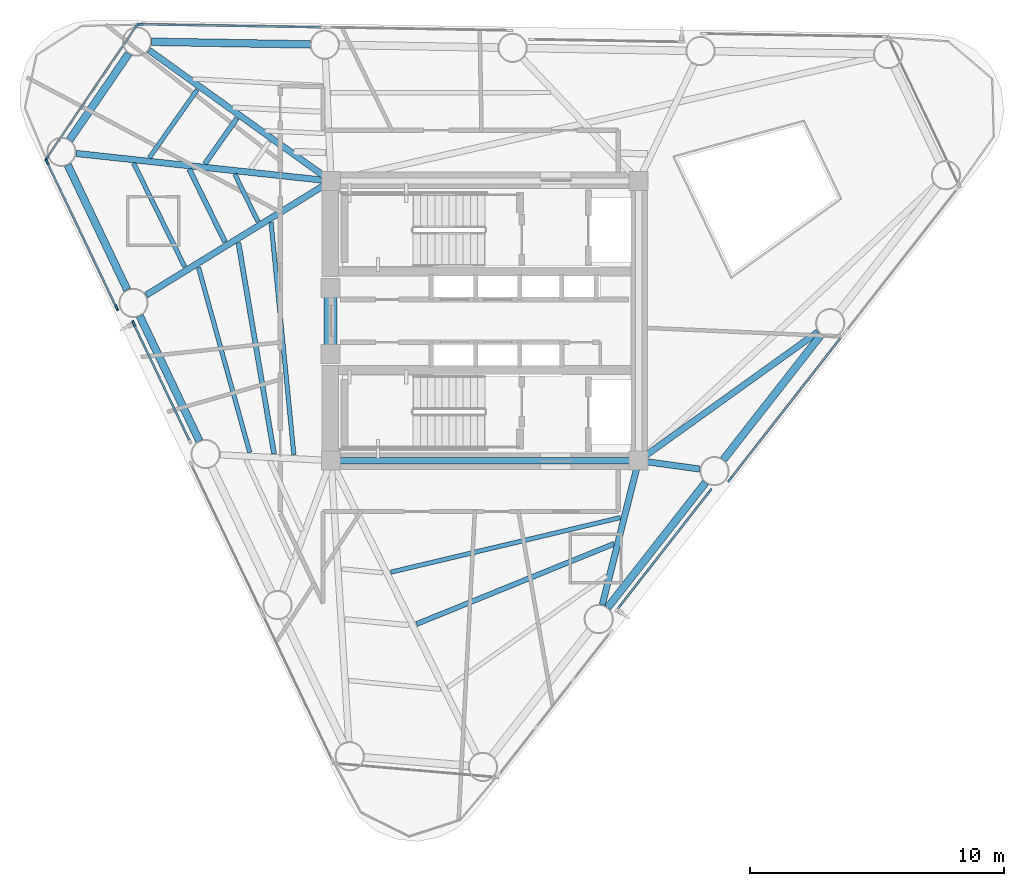
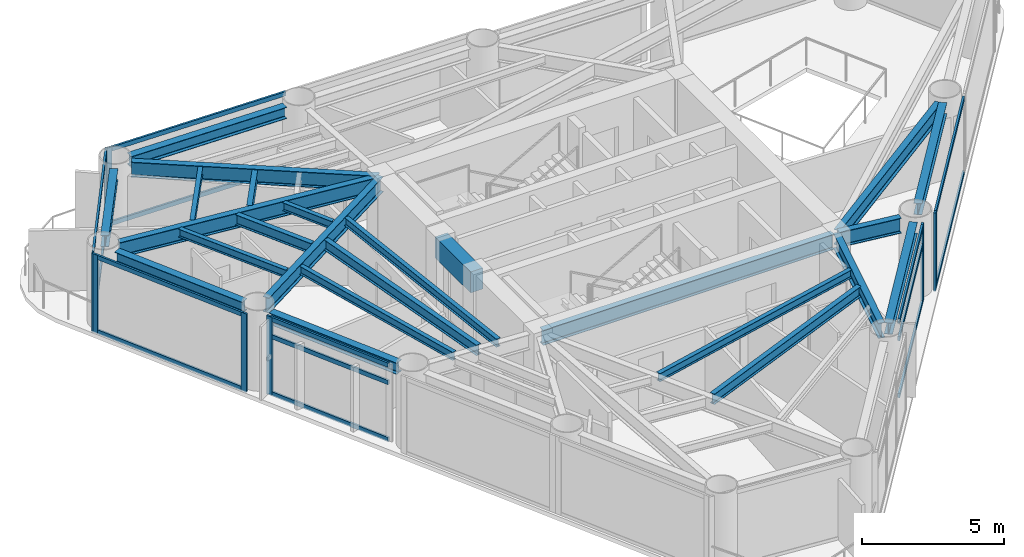
# One storey, part 2 of 9: 24 beams, 22 members, 6 elements without a shape of their own.
"""IFC4 building model written with IfcOpenShell, lengths in metres."""

from ifc_helpers import new_model, si_unit, direction, frame, origin, origin_2d, place, context, subcontext, project, spatial, rectangle, i_section, extrude, source, transform, mapped, material, layer, layer_set, material_profile, profile_set, type_object, element, aggregate, save


model = new_model("IFC4")

# Units and contexts
model_context = context("Model", 3, precision=1e-05, world=origin(), true_north=direction((0.0, 1.0)))
body_context = subcontext(model_context, "Body", "Model", "MODEL_VIEW")
ifc_project = project(units=[si_unit("LENGTHUNIT", "METRE"), si_unit("AREAUNIT", "SQUARE_METRE"), si_unit("VOLUMEUNIT", "CUBIC_METRE"), si_unit("PLANEANGLEUNIT", "RADIAN"), si_unit("MASSUNIT", "GRAM", prefix="KILO")], contexts=[model_context])

# Site, building, storey
site_placement = place(None, origin())
site = spatial("IfcSite", under=ifc_project, at=site_placement, CompositionType="ELEMENT")
building_placement = place(site_placement, origin())
building = spatial("IfcBuilding", under=site, at=building_placement, Name="Yunling Apex Tower", CompositionType="ELEMENT")
storey_placement = place(building_placement, frame((0.0, 0.0, 198.35009765625)))
storey = spatial("IfcBuildingStorey", under=building, at=storey_placement, Name="L48", CompositionType="ELEMENT", Elevation=198.35009765625)

# Beams
ifc_material_1 = material(Name="Concrete C50", Category="concrete")
ifc_material_profile_1 = material_profile(ifc_material_1, rectangle(XDim=0.5, YDim=0.89990234375, at=origin_2d()))
ifc_profile_set_1 = profile_set([ifc_material_profile_1], Name="Concrete C50")
beam_type_1 = type_object("IfcBeamType", Name="BC-CPL-2", PredefinedType="BEAM", material=ifc_profile_set_1)
shared_shape_1 = source(origin(), body_context, "Body", "SweptSolid", [
    extrude(rectangle(XDim=0.5, YDim=0.89990234375, at=origin_2d()), origin(), (0.0, 0.0, 1.0), 2.5),
])
beam_1_placement = place(storey_placement, frame((-6.074951171875, -1.25, 2.81982421875), z_axis=(0.0, 1.0, 0.0), x_axis=(-1.0, 0.0, 0.0)))
element("IfcBeam", 1, at=beam_1_placement, inside=storey, type_object=beam_type_1, Name="L48 Core West Portal Coupling Beam", PredefinedType="BEAM", context=body_context, shape_type="MappedRepresentation", body=[
    mapped(shared_shape_1, transform((0.0, 0.0, 0.0), scale=1.0)),
])
ifc_material_2 = material(Name="Steel Q355B", Category="steel")
ifc_material_profile_2 = material_profile(ifc_material_2, i_section(OverallWidth=0.25, OverallDepth=0.64990234375, WebThickness=0.011962890625, FlangeThickness=0.02001953125, FilletRadius=0.02392578125, at=origin_2d()))
ifc_profile_set_2 = profile_set([ifc_material_profile_2], Name="Steel Q355B")
beam_type_2 = type_object("IfcBeamType", Name="BG-PRI-4", PredefinedType="USERDEFINED", material=ifc_profile_set_2)
shared_shape_2 = source(origin(), body_context, "Body", "SweptSolid", [
    extrude(i_section(OverallWidth=0.25, OverallDepth=0.64990234375, WebThickness=0.011962890625, FlangeThickness=0.02001953125, FilletRadius=0.02392578125, at=origin_2d()), origin(), (0.0, 0.0, 1.0), 11.7998046875),
])
beam_2_placement = place(storey_placement, frame((-5.89990234375, -5.5, 2.94482421875), z_axis=(1.0, 0.0, 0.0), x_axis=(0.0, 1.0, 0.0)))
element("IfcBeam", 2, at=beam_2_placement, inside=storey, type_object=beam_type_2, Name="L48 Core Ring Tie Beam 1", ObjectType="GIRDER", PredefinedType="USERDEFINED", context=body_context, shape_type="MappedRepresentation", body=[
    mapped(shared_shape_2, transform((0.0, 0.0, 0.0), scale=1.0)),
])
ifc_material_profile_3 = material_profile(ifc_material_2, i_section(OverallWidth=0.300048828125, OverallDepth=0.489990234375, WebThickness=0.010986328125, FlangeThickness=0.01806640625, FilletRadius=0.02197265625, at=origin_2d()))
ifc_profile_set_3 = profile_set([ifc_material_profile_3], Name="Steel Q355B")
beam_type_3 = type_object("IfcBeamType", Name="BP-SPN-2", PredefinedType="SPANDREL", material=ifc_profile_set_3)
shared_shape_3 = source(origin(), body_context, "Body", "SweptSolid", [
    extrude(i_section(OverallWidth=0.300048828125, OverallDepth=0.489990234375, WebThickness=0.010986328125, FlangeThickness=0.01806640625, FilletRadius=0.02197265625, at=origin_2d()), origin(), (0.0, 0.0, 1.0), 6.253173828125),
])
for number, where, z_axis, x_axis, name in (
    (3, (4.831298828125, -11.2841796875, 3.02490234375), (0.61621666878, 0.787576673803, 0.0), (-0.787576673803, 0.61621666878, 0.0), "L48 Perimeter Spandrel Beam 2"),
    (4, (9.3857421875, -5.463134765625, 3.02490234375), (0.61621666878, 0.787576673803, 0.0), (-0.787576673803, 0.61621666878, 0.0), "L48 Perimeter Spandrel Beam 3"),
    (5, (-6.86669921875, 10.875, 3.02490234375), (-0.999859061432, 0.016788605428, 0.0), (-0.016788605428, -0.999859061432, 0.0), "L48 Perimeter Spandrel Beam 9"),
):
    element("IfcBeam", number, at=place(storey_placement, frame(where, z_axis=z_axis, x_axis=x_axis)), inside=storey, type_object=beam_type_3, Name=name, PredefinedType="SPANDREL", context=body_context, shape_type="MappedRepresentation", body=[
        mapped(shared_shape_3, transform((0.0, 0.0, 0.0), scale=1.0)),
    ])
shared_shape_4 = source(origin(), body_context, "Body", "SweptSolid", [
    extrude(i_section(OverallWidth=0.300048828125, OverallDepth=0.489990234375, WebThickness=0.010986328125, FlangeThickness=0.01806640625, FilletRadius=0.02197265625, at=origin_2d()), origin(), (0.0, 0.0, 1.0), 4.121337890625),
])
beam_3_placement = place(storey_placement, frame((-14.009033203125, 10.519775390625, 3.02490234375), z_axis=(-0.564775228093, -0.825244776858, 0.0), x_axis=(0.825244776858, -0.564775228093, 0.0)))
element("IfcBeam", 6, at=beam_3_placement, inside=storey, type_object=beam_type_3, Name="L48 Perimeter Spandrel Beam 10", PredefinedType="SPANDREL", context=body_context, shape_type="MappedRepresentation", body=[
    mapped(shared_shape_4, transform((0.0, 0.0, 0.0), scale=1.0)),
])
shared_shape_5 = source(origin(), body_context, "Body", "SweptSolid", [
    extrude(i_section(OverallWidth=0.300048828125, OverallDepth=0.489990234375, WebThickness=0.010986328125, FlangeThickness=0.01806640625, FilletRadius=0.02197265625, at=origin_2d()), origin(), (0.0, 0.0, 1.0), 5.4482421875),
])
for number, where, z_axis, x_axis, name in (
    (7, (-16.4130859375, 6.135498046875, 3.02490234375), (0.430538797564, -0.902572071246, 0.0), (0.902572071246, 0.430538797564, 0.0), "L48 Perimeter Spandrel Beam 11"),
    (8, (-13.577392578125, 0.190673828125, 3.02490234375), (0.430502292287, -0.902589483839, 0.0), (0.902589483839, 0.430502292287, 0.0), "L48 Perimeter Spandrel Beam 12"),
):
    element("IfcBeam", number, at=place(storey_placement, frame(where, z_axis=z_axis, x_axis=x_axis)), inside=storey, type_object=beam_type_3, Name=name, PredefinedType="SPANDREL", context=body_context, shape_type="MappedRepresentation", body=[
        mapped(shared_shape_5, transform((0.0, 0.0, 0.0), scale=1.0)),
    ])
shared_shape_6 = source(origin(), body_context, "Body", "SweptSolid", [
    extrude(i_section(OverallWidth=0.25, OverallDepth=0.64990234375, WebThickness=0.011962890625, FlangeThickness=0.02001953125, FilletRadius=0.02392578125, at=origin_2d()), origin(), (0.0, 0.0, 1.0), 5.763427734375),
])
beam_4_placement = place(storey_placement, frame((4.623291015625, -11.166748046875, 2.94482421875), z_axis=(0.244159894622, 0.969734987436, 0.0), x_axis=(-0.969734987436, 0.244159894622, 0.0)))
element("IfcBeam", 9, at=beam_4_placement, inside=storey, type_object=beam_type_2, Name="L48 Radial Primary Girder R02", ObjectType="GIRDER", PredefinedType="USERDEFINED", context=body_context, shape_type="MappedRepresentation", body=[
    mapped(shared_shape_6, transform((0.0, 0.0, 0.0), scale=1.0)),
])
shared_shape_7 = source(origin(), body_context, "Body", "SweptSolid", [
    extrude(i_section(OverallWidth=0.25, OverallDepth=0.64990234375, WebThickness=0.011962890625, FlangeThickness=0.02001953125, FilletRadius=0.02392578125, at=origin_2d()), origin(), (0.0, 0.0, 1.0), 2.35009765625),
])
beam_5_placement = place(storey_placement, frame((8.45751953125, -5.831787109375, 2.94482421875), z_axis=(-0.990639545436, 0.136503813203, 0.0), x_axis=(-0.136503813203, -0.990639545436, 0.0)))
element("IfcBeam", 10, at=beam_5_placement, inside=storey, type_object=beam_type_2, Name="L48 Radial Primary Girder R03", ObjectType="GIRDER", PredefinedType="USERDEFINED", context=body_context, shape_type="MappedRepresentation", body=[
    mapped(shared_shape_7, transform((0.0, 0.0, 0.0), scale=1.0)),
])
shared_shape_8 = source(origin(), body_context, "Body", "SweptSolid", [
    extrude(i_section(OverallWidth=0.25, OverallDepth=0.64990234375, WebThickness=0.011962890625, FlangeThickness=0.02001953125, FilletRadius=0.02392578125, at=origin_2d()), origin(), (0.0, 0.0, 1.0), 8.616455078125),
])
beam_6_placement = place(storey_placement, frame((13.11572265625, -0.43017578125, 2.94482421875), z_axis=(-0.812487192657, -0.58297904059, 0.0), x_axis=(0.58297904059, -0.812487192657, 0.0)))
element("IfcBeam", 11, at=beam_6_placement, inside=storey, type_object=beam_type_2, Name="L48 Radial Primary Girder R04", ObjectType="GIRDER", PredefinedType="USERDEFINED", context=body_context, shape_type="MappedRepresentation", body=[
    mapped(shared_shape_8, transform((0.0, 0.0, 0.0), scale=1.0)),
])
shared_shape_9 = source(origin(), body_context, "Body", "SweptSolid", [
    extrude(i_section(OverallWidth=0.25, OverallDepth=0.64990234375, WebThickness=0.011962890625, FlangeThickness=0.02001953125, FilletRadius=0.02392578125, at=origin_2d()), origin(), (0.0, 0.0, 1.0), 8.742919921875),
])
beam_7_placement = place(storey_placement, frame((-13.21435546875, 10.649169921875, 2.94482421875), z_axis=(0.812022401907, -0.583626266373, 0.0), x_axis=(0.583626266373, 0.812022401907, 0.0)))
element("IfcBeam", 12, at=beam_7_placement, inside=storey, type_object=beam_type_2, Name="L48 Radial Primary Girder R10", ObjectType="GIRDER", PredefinedType="USERDEFINED", context=body_context, shape_type="MappedRepresentation", body=[
    mapped(shared_shape_9, transform((0.0, 0.0, 0.0), scale=1.0)),
])
shared_shape_10 = source(origin(), body_context, "Body", "SweptSolid", [
    extrude(i_section(OverallWidth=0.25, OverallDepth=0.64990234375, WebThickness=0.011962890625, FlangeThickness=0.02001953125, FilletRadius=0.02392578125, at=origin_2d()), origin(), (0.0, 0.0, 1.0), 10.007080078125),
])
beam_8_placement = place(storey_placement, frame((-16.078369140625, 6.586181640625, 2.94482421875), z_axis=(0.994184902243, -0.107686490111, 0.0), x_axis=(0.107686490111, 0.994184902243, 0.0)))
element("IfcBeam", 13, at=beam_8_placement, inside=storey, type_object=beam_type_2, Name="L48 Radial Primary Girder R11", ObjectType="GIRDER", PredefinedType="USERDEFINED", context=body_context, shape_type="MappedRepresentation", body=[
    mapped(shared_shape_10, transform((0.0, 0.0, 0.0), scale=1.0)),
])
shared_shape_11 = source(origin(), body_context, "Body", "SweptSolid", [
    extrude(i_section(OverallWidth=0.25, OverallDepth=0.64990234375, WebThickness=0.011962890625, FlangeThickness=0.02001953125, FilletRadius=0.02392578125, at=origin_2d()), origin(), (0.0, 0.0, 1.0), 8.4697265625),
])
beam_9_placement = place(storey_placement, frame((-13.326171875, 1.010498046875, 2.94482421875), z_axis=(0.851035190572, 0.525108659621, 0.0), x_axis=(-0.525108659621, 0.851035190572, 0.0)))
element("IfcBeam", 14, at=beam_9_placement, inside=storey, type_object=beam_type_2, Name="L48 Radial Primary Girder R12", ObjectType="GIRDER", PredefinedType="USERDEFINED", context=body_context, shape_type="MappedRepresentation", body=[
    mapped(shared_shape_11, transform((0.0, 0.0, 0.0), scale=1.0)),
])
ifc_material_profile_4 = material_profile(ifc_material_2, i_section(OverallWidth=0.199951171875, OverallDepth=0.449951171875, WebThickness=0.009033203125, FlangeThickness=0.013916015625, FilletRadius=0.01806640625, at=origin_2d()))
ifc_profile_set_4 = profile_set([ifc_material_profile_4], Name="Steel Q355B")
beam_type_4 = type_object("IfcBeamType", Name="BS-SEC-3", PredefinedType="BEAM", material=ifc_profile_set_4)
shared_shape_12 = source(origin(), body_context, "Body", "SweptSolid", [
    extrude(i_section(OverallWidth=0.199951171875, OverallDepth=0.449951171875, WebThickness=0.009033203125, FlangeThickness=0.013916015625, FilletRadius=0.01806640625, at=origin_2d()), origin(), (0.0, 0.0, 1.0), 8.396240234375),
])
beam_10_placement = place(storey_placement, frame((-2.684326171875, -11.9287109375, 3.044921875), z_axis=(0.926431402479, 0.376463619092, 0.0), x_axis=(-0.376463619092, 0.926431402479, 0.0)))
element("IfcBeam", 15, at=beam_10_placement, inside=storey, type_object=beam_type_4, Name="L48 Composite Floor Beam BS-1", PredefinedType="BEAM", context=body_context, shape_type="MappedRepresentation", body=[
    mapped(shared_shape_12, transform((0.0, 0.0, 0.0), scale=1.0)),
])
ifc_material_profile_5 = material_profile(ifc_material_2, i_section(OverallWidth=0.175048828125, OverallDepth=0.35009765625, WebThickness=0.007080078125, FlangeThickness=0.010986328125, FilletRadius=0.013916015625, at=origin_2d()))
ifc_profile_set_5 = profile_set([ifc_material_profile_5], Name="Steel Q355B")
beam_type_5 = type_object("IfcBeamType", Name="BJ-JST-1", PredefinedType="JOIST", material=ifc_profile_set_5)
shared_shape_13 = source(origin(), body_context, "Body", "SweptSolid", [
    extrude(i_section(OverallWidth=0.175048828125, OverallDepth=0.35009765625, WebThickness=0.007080078125, FlangeThickness=0.010986328125, FilletRadius=0.013916015625, at=origin_2d()), origin(), (0.0, 0.0, 1.0), 9.2919921875),
])
beam_11_placement = place(storey_placement, frame((-3.69970703125, -9.88916015625, 3.094970703125), z_axis=(0.972847358166, 0.231447656523, 0.0), x_axis=(-0.231447656523, 0.972847358166, 0.0)))
element("IfcBeam", 16, at=beam_11_placement, inside=storey, type_object=beam_type_5, Name="L48 Composite Floor Joist BJ3-1", PredefinedType="JOIST", context=body_context, shape_type="MappedRepresentation", body=[
    mapped(shared_shape_13, transform((0.0, 0.0, 0.0), scale=1.0)),
])
shared_shape_14 = source(origin(), body_context, "Body", "SweptSolid", [
    extrude(i_section(OverallWidth=0.199951171875, OverallDepth=0.449951171875, WebThickness=0.009033203125, FlangeThickness=0.013916015625, FilletRadius=0.01806640625, at=origin_2d()), origin(), (0.0, 0.0, 1.0), 2.18505859375),
])
beam_12_placement = place(storey_placement, frame((-9.756591796875, 7.966796875, 3.044921875), z_axis=(-0.57454920808, -0.818470040682, 0.0), x_axis=(0.818470040682, -0.57454920808, 0.0)))
element("IfcBeam", 17, at=beam_12_placement, inside=storey, type_object=beam_type_4, Name="L48 Composite Floor Beam BS-10", PredefinedType="BEAM", context=body_context, shape_type="MappedRepresentation", body=[
    mapped(shared_shape_14, transform((0.0, 0.0, 0.0), scale=1.0)),
])
shared_shape_15 = source(origin(), body_context, "Body", "SweptSolid", [
    extrude(i_section(OverallWidth=0.175048828125, OverallDepth=0.35009765625, WebThickness=0.007080078125, FlangeThickness=0.010986328125, FilletRadius=0.013916015625, at=origin_2d()), origin(), (0.0, 0.0, 1.0), 3.270263671875),
])
beam_13_placement = place(storey_placement, frame((-11.318603515625, 9.089599609375, 3.094970703125), z_axis=(-0.575524843555, -0.817784295797, 0.0), x_axis=(0.817784295797, -0.575524843555, 0.0)))
element("IfcBeam", 18, at=beam_13_placement, inside=storey, type_object=beam_type_5, Name="L48 Composite Floor Joist BJ1-10", PredefinedType="JOIST", context=body_context, shape_type="MappedRepresentation", body=[
    mapped(shared_shape_15, transform((0.0, 0.0, 0.0), scale=1.0)),
])
shared_shape_16 = source(origin(), body_context, "Body", "SweptSolid", [
    extrude(i_section(OverallWidth=0.199951171875, OverallDepth=0.449951171875, WebThickness=0.009033203125, FlangeThickness=0.013916015625, FilletRadius=0.01806640625, at=origin_2d()), origin(), (0.0, 0.0, 1.0), 3.1845703125),
])
beam_14_placement = place(storey_placement, frame((-11.63037109375, 5.968505859375, 3.044921875), z_axis=(0.441285246196, -0.897366887895, 0.0), x_axis=(0.897366887895, 0.441285246196, 0.0)))
element("IfcBeam", 19, at=beam_14_placement, inside=storey, type_object=beam_type_4, Name="L48 Composite Floor Beam BS-11", PredefinedType="BEAM", context=body_context, shape_type="MappedRepresentation", body=[
    mapped(shared_shape_16, transform((0.0, 0.0, 0.0), scale=1.0)),
])
shared_shape_17 = source(origin(), body_context, "Body", "SweptSolid", [
    extrude(i_section(OverallWidth=0.175048828125, OverallDepth=0.35009765625, WebThickness=0.007080078125, FlangeThickness=0.010986328125, FilletRadius=0.013916015625, at=origin_2d()), origin(), (0.0, 0.0, 1.0), 4.541259765625),
])
beam_15_placement = place(storey_placement, frame((-13.81884765625, 6.205810546875, 3.094970703125), z_axis=(0.442066776363, -0.896982143209, 0.0), x_axis=(0.896982143209, 0.442066776363, 0.0)))
element("IfcBeam", 20, at=beam_15_placement, inside=storey, type_object=beam_type_5, Name="L48 Composite Floor Joist BJ1-11", PredefinedType="JOIST", context=body_context, shape_type="MappedRepresentation", body=[
    mapped(shared_shape_17, transform((0.0, 0.0, 0.0), scale=1.0)),
])
shared_shape_18 = source(origin(), body_context, "Body", "SweptSolid", [
    extrude(i_section(OverallWidth=0.175048828125, OverallDepth=0.35009765625, WebThickness=0.007080078125, FlangeThickness=0.010986328125, FilletRadius=0.013916015625, at=origin_2d()), origin(), (0.0, 0.0, 1.0), 2.07421875),
])
beam_16_placement = place(storey_placement, frame((-9.839599609375, 5.7744140625, 3.094970703125), z_axis=(0.439758949759, -0.898115842254, 0.0), x_axis=(0.898115842254, 0.439758949759, 0.0)))
element("IfcBeam", 21, at=beam_16_placement, inside=storey, type_object=beam_type_5, Name="L48 Composite Floor Joist BJ3-11", PredefinedType="JOIST", context=body_context, shape_type="MappedRepresentation", body=[
    mapped(shared_shape_18, transform((0.0, 0.0, 0.0), scale=1.0)),
])
shared_shape_19 = source(origin(), body_context, "Body", "SweptSolid", [
    extrude(i_section(OverallWidth=0.199951171875, OverallDepth=0.449951171875, WebThickness=0.009033203125, FlangeThickness=0.013916015625, FilletRadius=0.01806640625, at=origin_2d()), origin(), (0.0, 0.0, 1.0), 8.41943359375),
])
beam_17_placement = place(storey_placement, frame((-9.695556640625, 3.076416015625, 3.044921875), z_axis=(0.16647230798, -0.986046130095, 0.0), x_axis=(0.986046130095, 0.16647230798, 0.0)))
element("IfcBeam", 22, at=beam_17_placement, inside=storey, type_object=beam_type_4, Name="L48 Composite Floor Beam BS-12", PredefinedType="BEAM", context=body_context, shape_type="MappedRepresentation", body=[
    mapped(shared_shape_19, transform((0.0, 0.0, 0.0), scale=1.0)),
])
shared_shape_20 = source(origin(), body_context, "Body", "SweptSolid", [
    extrude(i_section(OverallWidth=0.175048828125, OverallDepth=0.35009765625, WebThickness=0.007080078125, FlangeThickness=0.010986328125, FilletRadius=0.013916015625, at=origin_2d()), origin(), (0.0, 0.0, 1.0), 7.554931640625),
])
beam_18_placement = place(storey_placement, frame((-11.265380859375, 2.1015625, 3.094970703125), z_axis=(0.266700380195, -0.963779490965, 0.0), x_axis=(0.963779490965, 0.266700380195, 0.0)))
element("IfcBeam", 23, at=beam_18_placement, inside=storey, type_object=beam_type_5, Name="L48 Composite Floor Joist BJ1-12", PredefinedType="JOIST", context=body_context, shape_type="MappedRepresentation", body=[
    mapped(shared_shape_20, transform((0.0, 0.0, 0.0), scale=1.0)),
])
shared_shape_21 = source(origin(), body_context, "Body", "SweptSolid", [
    extrude(i_section(OverallWidth=0.175048828125, OverallDepth=0.35009765625, WebThickness=0.007080078125, FlangeThickness=0.010986328125, FilletRadius=0.013916015625, at=origin_2d()), origin(), (0.0, 0.0, 1.0), 9.183837890625),
])
beam_19_placement = place(storey_placement, frame((-8.4091796875, 3.87548828125, 3.094970703125), z_axis=(0.097534767925, -0.995232118174, 0.0), x_axis=(0.995232118174, 0.097534767925, 0.0)))
element("IfcBeam", 24, at=beam_19_placement, inside=storey, type_object=beam_type_5, Name="L48 Composite Floor Joist BJ3-12", PredefinedType="JOIST", context=body_context, shape_type="MappedRepresentation", body=[
    mapped(shared_shape_21, transform((0.0, 0.0, 0.0), scale=1.0)),
])

# Curtain wall, member
ifc_material_3 = material(Name="Bronze anodised aluminium", Category="aluminium")
ifc_layer = layer(ifc_material_3, 0.239990234375)
ifc_layer_set = layer_set([ifc_layer], Name="Bronze anodised aluminium")
curtain_wall_type = type_object("IfcCurtainWallType", Name="CW-SYS-3", PredefinedType="NOTDEFINED", material=ifc_layer_set)
curtain_wall_1_placement = place(storey_placement, origin())
curtain_wall_1 = element("IfcCurtainWall", 25, at=curtain_wall_1_placement, inside=storey, type_object=curtain_wall_type, Name="CW-L48-F1-B2", PredefinedType="NOTDEFINED")
ifc_material_profile_6 = material_profile(ifc_material_3, rectangle(XDim=0.080078125, YDim=0.239990234375, at=origin_2d()))
ifc_profile_set_6 = profile_set([ifc_material_profile_6], Name="Bronze anodised aluminium")
member_type_1 = type_object("IfcMemberType", Name="CW-MUL-3", PredefinedType="MULLION", material=ifc_profile_set_6)
shared_shape_22 = source(origin(), body_context, "Body", "SweptSolid", [
    extrude(rectangle(XDim=0.080078125, YDim=0.239990234375, at=origin_2d()), origin(), (0.0, 0.0, 1.0), 3.369873046875),
])
member_1_placement = place(storey_placement, frame((8.846923828125, -6.70361328125, -0.050048828125), z_axis=(0.0, 0.0, 1.0), x_axis=(-0.787576499109, 0.616216892053, 0.0)))
member_1 = element("IfcMember", 26, at=member_1_placement, type_object=member_type_1, Name="CW-SYS-3 mullion 2", PredefinedType="MULLION", context=body_context, shape_type="MappedRepresentation", body=[
    mapped(shared_shape_22, transform((0.0, 0.0, 0.0), scale=1.0)),
])

curtain_wall_2_placement = place(storey_placement, origin())
curtain_wall_2 = element("IfcCurtainWall", 27, at=curtain_wall_2_placement, inside=storey, type_object=curtain_wall_type, Name="CW-L48-F1-B3", PredefinedType="NOTDEFINED")
member_2_placement = place(storey_placement, frame((9.64453125, -6.23583984375, -0.050048828125), z_axis=(0.0, 0.0, 1.0), x_axis=(-0.787589332433, 0.616200489644, 0.0)))
member_2 = element("IfcMember", 28, at=member_2_placement, type_object=member_type_1, Name="CW-SYS-3 mullion 1", PredefinedType="MULLION", context=body_context, shape_type="MappedRepresentation", body=[
    mapped(shared_shape_22, transform((0.0, 0.0, 0.0), scale=1.0)),
])

curtain_wall_3_placement = place(storey_placement, origin())
curtain_wall_3 = element("IfcCurtainWall", 29, at=curtain_wall_3_placement, inside=storey, type_object=curtain_wall_type, Name="CW-L48-F2-B4", PredefinedType="NOTDEFINED")
member_3_placement = place(storey_placement, frame((-13.556396484375, 11.667236328125, -0.050048828125), z_axis=(0.0, 0.0, 1.0), x_axis=(-0.016761362354, -0.999859518498, 0.0)))
member_3 = element("IfcMember", 30, at=member_3_placement, type_object=member_type_1, Name="CW-SYS-3 mullion 2", PredefinedType="MULLION", context=body_context, shape_type="MappedRepresentation", body=[
    mapped(shared_shape_22, transform((0.0, 0.0, 0.0), scale=1.0)),
])

# Curtain wall, members
curtain_wall_4_placement = place(storey_placement, origin())
curtain_wall_4 = element("IfcCurtainWall", 31, at=curtain_wall_4_placement, inside=storey, type_object=curtain_wall_type, Name="CW-L48-CRN2", PredefinedType="NOTDEFINED")
member_4_placement = place(storey_placement, frame((-13.698974609375, 11.6162109375, -0.050048828125), z_axis=(0.0, 0.0, 1.0), x_axis=(0.828106898006, -0.56057021458, 0.0)))
member_4 = element("IfcMember", 32, at=member_4_placement, type_object=member_type_1, Name="CW-SYS-3 mullion 1", PredefinedType="MULLION", context=body_context, shape_type="MappedRepresentation", body=[
    mapped(shared_shape_22, transform((0.0, 0.0, 0.0), scale=1.0)),
])
member_5_placement = place(storey_placement, frame((-17.231201171875, 6.398193359375, -0.050048828125), z_axis=(0.0, 0.0, 1.0), x_axis=(0.828106898006, -0.56057021458, 0.0)))
member_5 = element("IfcMember", 33, at=member_5_placement, type_object=member_type_1, Name="CW-SYS-3 mullion 2", PredefinedType="MULLION", context=body_context, shape_type="MappedRepresentation", body=[
    mapped(shared_shape_22, transform((0.0, 0.0, 0.0), scale=1.0)),
])

curtain_wall_5_placement = place(storey_placement, origin())
curtain_wall_5 = element("IfcCurtainWall", 34, at=curtain_wall_5_placement, inside=storey, type_object=curtain_wall_type, Name="CW-L48-F3-B1", PredefinedType="NOTDEFINED")
member_6_placement = place(storey_placement, frame((-17.219970703125, 6.248046875, -0.050048828125), z_axis=(0.0, 0.0, 1.0), x_axis=(0.902582193367, 0.430517577128, 0.0)))
member_6 = element("IfcMember", 35, at=member_6_placement, type_object=member_type_1, Name="CW-SYS-3 mullion 1", PredefinedType="MULLION", context=body_context, shape_type="MappedRepresentation", body=[
    mapped(shared_shape_22, transform((0.0, 0.0, 0.0), scale=1.0)),
])
member_7_placement = place(storey_placement, frame((-14.48779296875, 0.52001953125, -0.050048828125), z_axis=(0.0, 0.0, 1.0), x_axis=(0.902582193367, 0.430517577128, 0.0)))
member_7 = element("IfcMember", 36, at=member_7_placement, type_object=member_type_1, Name="CW-SYS-3 mullion 2", PredefinedType="MULLION", context=body_context, shape_type="MappedRepresentation", body=[
    mapped(shared_shape_22, transform((0.0, 0.0, 0.0), scale=1.0)),
])

# Curtain wall, member
curtain_wall_6_placement = place(storey_placement, origin())
curtain_wall_6 = element("IfcCurtainWall", 37, at=curtain_wall_6_placement, inside=storey, type_object=curtain_wall_type, Name="CW-L48-F3-B2", PredefinedType="NOTDEFINED")
member_8_placement = place(storey_placement, frame((-13.810791015625, -0.110107421875, -0.050048828125), z_axis=(0.0, 0.0, 1.0), x_axis=(0.902583049107, 0.430515783062, 0.0)))
member_8 = element("IfcMember", 38, at=member_8_placement, type_object=member_type_1, Name="CW-SYS-3 mullion 1", PredefinedType="MULLION", context=body_context, shape_type="MappedRepresentation", body=[
    mapped(shared_shape_22, transform((0.0, 0.0, 0.0), scale=1.0)),
])

# Member
ifc_material_profile_7 = material_profile(ifc_material_3, rectangle(XDim=0.080078125, YDim=0.18505859375, at=origin_2d()))
ifc_profile_set_7 = profile_set([ifc_material_profile_7], Name="Bronze anodised aluminium")
member_type_2 = type_object("IfcMemberType", Name="CW-TRN-3", PredefinedType="USERDEFINED", material=ifc_profile_set_7)
shared_shape_23 = source(origin(), body_context, "Body", "SweptSolid", [
    extrude(rectangle(XDim=0.080078125, YDim=0.18505859375, at=origin_2d()), origin(), (0.0, 0.0, 1.0), 5.8388671875),
])
member_9_placement = place(storey_placement, frame((5.226806640625, -11.33056640625, 0.039794921875), z_axis=(0.616198894741, 0.787590580264, 0.0), x_axis=(-0.787590580264, 0.616198894741, 0.0)))
member_9 = element("IfcMember", 39, at=member_9_placement, type_object=member_type_2, Name="CW-SYS-3 transom 1.1", ObjectType="TRANSOM", PredefinedType="USERDEFINED", context=body_context, shape_type="MappedRepresentation", body=[
    mapped(shared_shape_23, transform((0.0, 0.0, 0.0), scale=1.0)),
])

member_10_placement = place(storey_placement, frame((5.226806640625, -11.33056640625, 2.485107421875), z_axis=(0.616198894741, 0.787590580264, 0.0), x_axis=(-0.787590580264, 0.616198894741, 0.0)))
member_10 = element("IfcMember", 40, at=member_10_placement, type_object=member_type_2, Name="CW-SYS-3 transom 1.2", ObjectType="TRANSOM", PredefinedType="USERDEFINED", context=body_context, shape_type="MappedRepresentation", body=[
    mapped(shared_shape_23, transform((0.0, 0.0, 0.0), scale=1.0)),
])

member_11_placement = place(storey_placement, frame((5.226806640625, -11.33056640625, 3.22998046875), z_axis=(0.616198894741, 0.787590580264, 0.0), x_axis=(-0.787590580264, 0.616198894741, 0.0)))
member_11 = element("IfcMember", 41, at=member_11_placement, type_object=member_type_2, Name="CW-SYS-3 transom 1.3", ObjectType="TRANSOM", PredefinedType="USERDEFINED", context=body_context, shape_type="MappedRepresentation", body=[
    mapped(shared_shape_23, transform((0.0, 0.0, 0.0), scale=1.0)),
])

aggregate(curtain_wall_1, [member_1, member_9, member_10, member_11])

shared_shape_24 = source(origin(), body_context, "Body", "SweptSolid", [
    extrude(rectangle(XDim=0.080078125, YDim=0.18505859375, at=origin_2d()), origin(), (0.0, 0.0, 1.0), 7.0791015625),
])
member_12_placement = place(storey_placement, frame((9.666748046875, -6.20751953125, 0.039794921875), z_axis=(0.616192015574, 0.78759596237, 0.0), x_axis=(-0.78759596237, 0.616192015574, 0.0)))
member_12 = element("IfcMember", 42, at=member_12_placement, type_object=member_type_2, Name="CW-SYS-3 transom 1.1", ObjectType="TRANSOM", PredefinedType="USERDEFINED", context=body_context, shape_type="MappedRepresentation", body=[
    mapped(shared_shape_24, transform((0.0, 0.0, 0.0), scale=1.0)),
])

member_13_placement = place(storey_placement, frame((9.666748046875, -6.20751953125, 3.22998046875), z_axis=(0.616192015574, 0.78759596237, 0.0), x_axis=(-0.78759596237, 0.616192015574, 0.0)))
member_13 = element("IfcMember", 43, at=member_13_placement, type_object=member_type_2, Name="CW-SYS-3 transom 1.2", ObjectType="TRANSOM", PredefinedType="USERDEFINED", context=body_context, shape_type="MappedRepresentation", body=[
    mapped(shared_shape_24, transform((0.0, 0.0, 0.0), scale=1.0)),
])

aggregate(curtain_wall_2, [member_2, member_12, member_13])

shared_shape_25 = source(origin(), body_context, "Body", "SweptSolid", [
    extrude(rectangle(XDim=0.080078125, YDim=0.18505859375, at=origin_2d()), origin(), (0.0, 0.0, 1.0), 7.078857421875),
])
member_14_placement = place(storey_placement, frame((-6.4423828125, 11.548095703125, 0.039794921875), z_axis=(-0.999859516724, 0.016761468219, 0.0), x_axis=(-0.016761468219, -0.999859516724, 0.0)))
member_14 = element("IfcMember", 44, at=member_14_placement, type_object=member_type_2, Name="CW-SYS-3 transom 1.1", ObjectType="TRANSOM", PredefinedType="USERDEFINED", context=body_context, shape_type="MappedRepresentation", body=[
    mapped(shared_shape_25, transform((0.0, 0.0, 0.0), scale=1.0)),
])

member_15_placement = place(storey_placement, frame((-6.4423828125, 11.548095703125, 3.22998046875), z_axis=(-0.999859516724, 0.016761468219, 0.0), x_axis=(-0.016761468219, -0.999859516724, 0.0)))
member_15 = element("IfcMember", 45, at=member_15_placement, type_object=member_type_2, Name="CW-SYS-3 transom 1.2", ObjectType="TRANSOM", PredefinedType="USERDEFINED", context=body_context, shape_type="MappedRepresentation", body=[
    mapped(shared_shape_25, transform((0.0, 0.0, 0.0), scale=1.0)),
])

aggregate(curtain_wall_3, [member_3, member_14, member_15])

shared_shape_26 = source(origin(), body_context, "Body", "SweptSolid", [
    extrude(rectangle(XDim=0.080078125, YDim=0.18505859375, at=origin_2d()), origin(), (0.0, 0.0, 1.0), 6.229248046875),
])
member_16_placement = place(storey_placement, frame((-13.71923828125, 11.58642578125, 0.039794921875), z_axis=(-0.560574268249, -0.828104153942, 0.0), x_axis=(0.828104153942, -0.560574268249, 0.0)))
member_16 = element("IfcMember", 46, at=member_16_placement, type_object=member_type_2, Name="CW-SYS-3 transom 1.1", ObjectType="TRANSOM", PredefinedType="USERDEFINED", context=body_context, shape_type="MappedRepresentation", body=[
    mapped(shared_shape_26, transform((0.0, 0.0, 0.0), scale=1.0)),
])

member_17_placement = place(storey_placement, frame((-13.71923828125, 11.58642578125, 3.22998046875), z_axis=(-0.560574268249, -0.828104153942, 0.0), x_axis=(0.828104153942, -0.560574268249, 0.0)))
member_17 = element("IfcMember", 47, at=member_17_placement, type_object=member_type_2, Name="CW-SYS-3 transom 1.2", ObjectType="TRANSOM", PredefinedType="USERDEFINED", context=body_context, shape_type="MappedRepresentation", body=[
    mapped(shared_shape_26, transform((0.0, 0.0, 0.0), scale=1.0)),
])

aggregate(curtain_wall_4, [member_4, member_5, member_16, member_17])

shared_shape_27 = source(origin(), body_context, "Body", "SweptSolid", [
    extrude(rectangle(XDim=0.080078125, YDim=0.18505859375, at=origin_2d()), origin(), (0.0, 0.0, 1.0), 6.2744140625),
])
member_18_placement = place(storey_placement, frame((-17.20458984375, 6.215576171875, 0.039794921875), z_axis=(0.430513491492, -0.902584142141, 0.0), x_axis=(0.902584142141, 0.430513491492, 0.0)))
member_18 = element("IfcMember", 48, at=member_18_placement, type_object=member_type_2, Name="CW-SYS-3 transom 1.1", ObjectType="TRANSOM", PredefinedType="USERDEFINED", context=body_context, shape_type="MappedRepresentation", body=[
    mapped(shared_shape_27, transform((0.0, 0.0, 0.0), scale=1.0)),
])

member_19_placement = place(storey_placement, frame((-17.20458984375, 6.215576171875, 3.22998046875), z_axis=(0.430513491492, -0.902584142141, 0.0), x_axis=(0.902584142141, 0.430513491492, 0.0)))
member_19 = element("IfcMember", 49, at=member_19_placement, type_object=member_type_2, Name="CW-SYS-3 transom 1.2", ObjectType="TRANSOM", PredefinedType="USERDEFINED", context=body_context, shape_type="MappedRepresentation", body=[
    mapped(shared_shape_27, transform((0.0, 0.0, 0.0), scale=1.0)),
])

aggregate(curtain_wall_5, [member_6, member_7, member_18, member_19])

shared_shape_28 = source(origin(), body_context, "Body", "SweptSolid", [
    extrude(rectangle(XDim=0.080078125, YDim=0.18505859375, at=origin_2d()), origin(), (0.0, 0.0, 1.0), 5.034423828125),
])
member_20_placement = place(storey_placement, frame((-13.795166015625, -0.142578125, 0.039794921875), z_axis=(0.430492583081, -0.902594114712, 0.0), x_axis=(0.902594114712, 0.430492583081, 0.0)))
member_20 = element("IfcMember", 50, at=member_20_placement, type_object=member_type_2, Name="CW-SYS-3 transom 1.1", ObjectType="TRANSOM", PredefinedType="USERDEFINED", context=body_context, shape_type="MappedRepresentation", body=[
    mapped(shared_shape_28, transform((0.0, 0.0, 0.0), scale=1.0)),
])

member_21_placement = place(storey_placement, frame((-13.795166015625, -0.142578125, 2.485107421875), z_axis=(0.430492583081, -0.902594114712, 0.0), x_axis=(0.902594114712, 0.430492583081, 0.0)))
member_21 = element("IfcMember", 51, at=member_21_placement, type_object=member_type_2, Name="CW-SYS-3 transom 1.2", ObjectType="TRANSOM", PredefinedType="USERDEFINED", context=body_context, shape_type="MappedRepresentation", body=[
    mapped(shared_shape_28, transform((0.0, 0.0, 0.0), scale=1.0)),
])

member_22_placement = place(storey_placement, frame((-13.795166015625, -0.142578125, 3.22998046875), z_axis=(0.430492583081, -0.902594114712, 0.0), x_axis=(0.902594114712, 0.430492583081, 0.0)))
member_22 = element("IfcMember", 52, at=member_22_placement, type_object=member_type_2, Name="CW-SYS-3 transom 1.3", ObjectType="TRANSOM", PredefinedType="USERDEFINED", context=body_context, shape_type="MappedRepresentation", body=[
    mapped(shared_shape_28, transform((0.0, 0.0, 0.0), scale=1.0)),
])

aggregate(curtain_wall_6, [member_8, member_20, member_21, member_22])

save(model, "model.ifc")
